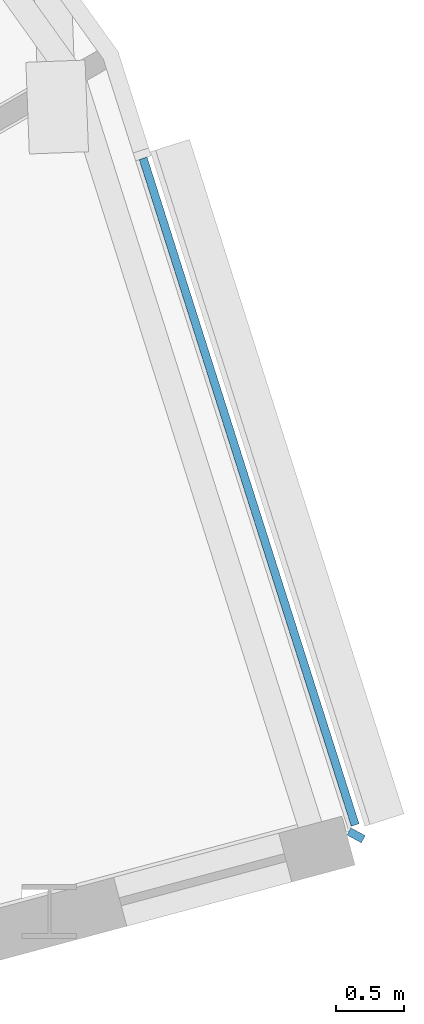
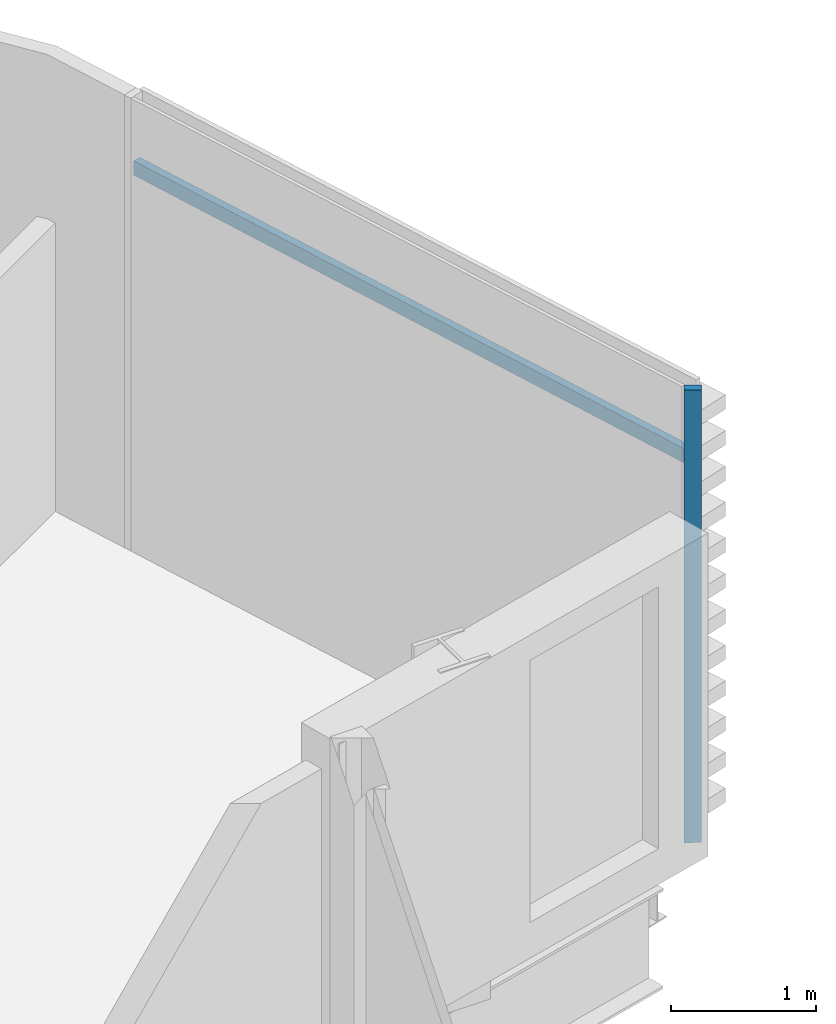
# One storey, part 16 of 37: 2 members, 1 element without a shape of its own.
"""IFC4 building model written with IfcOpenShell, lengths in metres."""

import ifcopenshell
import ifcopenshell.guid

model = None  # the IFC model being written
_history = None  # IfcOwnerHistory: only IFC2X3 demands one
_inside = {}  # id of a spatial element -> (the spatial element, [elements in it])
_under = {}  # id of a project, library or spatial element -> (it, [spatial elements below it])
_declared = {}  # id of a project -> (the project, [libraries it declares])
_typed = {}  # id of a type object -> (the type object, [elements of that type])
_made_of = {}  # id of a material, layer set ... -> (it, [elements and type objects made of it])


def new_model(schema):
    """Start an empty IFC model of exactly this schema.

    Asked for "IFC4X3", IfcOpenShell would pick the latest addendum, in which some entities
    have other attributes; the version numbers below select the first issue.
    IFC2X3 requires an IfcOwnerHistory on every rooted entity: one is made here for all.
    """
    global model, _history
    if schema == "IFC4X3":
        model = ifcopenshell.file(schema_version=(4, 3, 0, 0))
    else:
        model = ifcopenshell.file(schema=schema)
    _inside.clear()
    _under.clear()
    _declared.clear()
    _typed.clear()
    _made_of.clear()
    _history = None
    if model.schema == "IFC2X3":
        org = make("IfcOrganization", Name="unknown")
        user = make(
            "IfcPersonAndOrganization",
            ThePerson=make("IfcPerson", FamilyName="unknown"),
            TheOrganization=org,
        )
        app = make(
            "IfcApplication",
            ApplicationDeveloper=org,
            Version="unknown",
            ApplicationFullName="unknown",
            ApplicationIdentifier="unknown",
        )
        _history = make(
            "IfcOwnerHistory",
            OwningUser=user,
            OwningApplication=app,
            ChangeAction="ADDED",
            CreationDate=0,
        )
    return model


def make(cls, **values):
    """One entity of the class cls with the attributes given. An attribute that is None is left unset."""
    return model.create_entity(
        cls, **{name: value for name, value in values.items() if value is not None}
    )


def rooted(cls, **values):
    """An entity with a GlobalId (a new one), such as an element, a storey or a relation."""
    return make(cls, GlobalId=ifcopenshell.guid.new(), OwnerHistory=_history, **values)


def si_unit(unit_type, name, prefix=None):
    """IfcSIUnit, for example si_unit("LENGTHUNIT", "METRE", prefix="MILLI")."""
    return make("IfcSIUnit", UnitType=unit_type, Prefix=prefix, Name=name)


def assignment(units):
    """IfcUnitAssignment: the units of a project."""
    return None if units is None else make("IfcUnitAssignment", Units=units)


def point(xyz):
    """IfcCartesianPoint."""
    return None if xyz is None else make("IfcCartesianPoint", Coordinates=xyz)


def direction(xyz):
    """IfcDirection."""
    return None if xyz is None else make("IfcDirection", DirectionRatios=xyz)


def frame(location, z_axis=None, x_axis=None):
    """IfcAxis2Placement3D, a coordinate frame: its origin and axes. An axis left out is left unset."""
    return make(
        "IfcAxis2Placement3D",
        Location=point(location),
        Axis=direction(z_axis),
        RefDirection=direction(x_axis),
    )


def frame_2d(location, x_axis=None):
    """IfcAxis2Placement2D, a coordinate frame in the plane: its origin and x axis."""
    return make(
        "IfcAxis2Placement2D", Location=point(location), RefDirection=direction(x_axis)
    )


def origin():
    """The frame at (0, 0, 0) with its axes left unset."""
    return frame((0.0, 0.0, 0.0))


def origin_2d():
    """The frame at (0, 0) in the plane with its x axis left unset."""
    return frame_2d((0.0, 0.0))


def place(relative_to, where):
    """IfcLocalPlacement: puts the frame where relative to a parent placement (None: the world)."""
    return make(
        "IfcLocalPlacement", PlacementRelTo=relative_to, RelativePlacement=where
    )


def context(
    kind, dimensions, precision=None, world=None, true_north=None, identifier=None
):
    """IfcGeometricRepresentationContext, for example the 3D "Model" context."""
    return make(
        "IfcGeometricRepresentationContext",
        ContextIdentifier=identifier,
        ContextType=kind,
        CoordinateSpaceDimension=dimensions,
        Precision=precision,
        WorldCoordinateSystem=world,
        TrueNorth=true_north,
    )


def subcontext(parent, identifier, kind, view, scale=None):
    """IfcGeometricRepresentationSubContext, for example "Body" below "Model"."""
    return make(
        "IfcGeometricRepresentationSubContext",
        ContextIdentifier=identifier,
        ContextType=kind,
        ParentContext=parent,
        TargetScale=scale,
        TargetView=view,
    )


def project(units=None, contexts=None):
    """IfcProject with its units and contexts."""
    return rooted(
        "IfcProject",
        Name="project",
        RepresentationContexts=contexts,
        UnitsInContext=assignment(units),
    )


def spatial(cls, under=None, at=None, **own):
    """A site, building, storey or space (cls), placed at a placement, below another one or the project."""
    s = rooted(cls, ObjectPlacement=at, **own)
    if under is not None:
        _under.setdefault(under.id(), (under, []))[1].append(s)
    return s


def profile(cls, at=None, kind="AREA", **sizes):
    """A parametric profile (cls). Its sizes go by their IFC names, for example OverallWidth=200.0."""
    return make(cls, ProfileType=kind, Position=at, **sizes)


def rectangle(**sizes):
    """IfcRectangleProfileDef."""
    return profile("IfcRectangleProfileDef", **sizes)


def extrude(swept, where, along, depth):
    """IfcExtrudedAreaSolid: the profile swept, set in the frame where, extruded along a direction by depth."""
    return make(
        "IfcExtrudedAreaSolid",
        SweptArea=swept,
        Position=where,
        ExtrudedDirection=direction(along),
        Depth=depth,
    )


def shape(context_of_items, identifier, shape_type, items):
    """IfcShapeRepresentation: the items that make up one representation, for example the "Body"."""
    return make(
        "IfcShapeRepresentation",
        ContextOfItems=context_of_items,
        RepresentationIdentifier=identifier,
        RepresentationType=shape_type,
        Items=items,
    )


def material(Name=None, Category=None):
    """IfcMaterial."""
    return make("IfcMaterial", Name=Name, Category=Category)


def material_profile(
    of_material, cross_section, Name=None, Category=None, Priority=None
):
    """IfcMaterialProfile: a cross section and its material."""
    return make(
        "IfcMaterialProfile",
        Name=Name,
        Material=of_material,
        Profile=cross_section,
        Priority=Priority,
        Category=Category,
    )


def profile_set(profiles, Name=None, composite=None):
    """IfcMaterialProfileSet."""
    return make(
        "IfcMaterialProfileSet",
        Name=Name,
        MaterialProfiles=profiles,
        CompositeProfile=composite,
    )


def made_of(thing, what):
    """Note that an element or type object is made of a material, layer set ...; save() writes the relation."""
    if what is not None:
        _made_of.setdefault(what.id(), (what, []))[1].append(thing)
    return thing


def type_object(cls, material=None, **own):
    """A type object (cls), such as IfcWallType, which elements share."""
    return made_of(rooted(cls, **own), material)


def element(
    cls,
    number,
    at=None,
    inside=None,
    cuts=None,
    type_object=None,
    material=None,
    context=None,
    identifier="Body",
    shape_type=None,
    held_by="IfcProductDefinitionShape",
    body=None,
    shapes=None,
    **own,
):
    """One element of the class cls, such as IfcWall. Its Tag is "e" and its number.

    at: its placement. inside: the storey or other place that contains it. cuts: it is an
    opening in that element (IfcRelVoidsElement). A single representation is given by context,
    identifier, shape_type and body (its items); several are given by shapes. held_by: the class
    of the entity that holds the representations. save() writes the other relations.
    """
    e = rooted(cls, Tag="e%d" % number, ObjectPlacement=at, **own)
    if body is not None:
        shapes = [shape(context, identifier, shape_type, body)]
    if shapes is not None:
        e.Representation = make(held_by, Representations=shapes)
    if inside is not None:
        _inside.setdefault(inside.id(), (inside, []))[1].append(e)
    if cuts is not None:
        rooted(
            "IfcRelVoidsElement", RelatingBuildingElement=cuts, RelatedOpeningElement=e
        )
    if type_object is not None:
        _typed.setdefault(type_object.id(), (type_object, []))[1].append(e)
    return made_of(e, material)


def aggregate(whole, parts):
    """IfcRelAggregates: a whole, such as a stair, and the parts it consists of."""
    return rooted("IfcRelAggregates", RelatingObject=whole, RelatedObjects=parts)


def save(model, path):
    """Write the relations noted so far, then the file.

    IfcRelAggregates (storeys below a building ...), IfcRelContainedInSpatialStructure (elements
    in a storey), IfcRelDefinesByType, IfcRelAssociatesMaterial and IfcRelDeclares: one each for
    every whole, place, type object, material and project.
    """
    for whole, parts in _under.values():
        aggregate(whole, parts)
    for where, things in _inside.values():
        rooted(
            "IfcRelContainedInSpatialStructure",
            RelatedElements=things,
            RelatingStructure=where,
        )
    for kind, things in _typed.values():
        rooted("IfcRelDefinesByType", RelatedObjects=things, RelatingType=kind)
    for what, things in _made_of.values():
        rooted("IfcRelAssociatesMaterial", RelatedObjects=things, RelatingMaterial=what)
    for by, libraries in _declared.values():
        rooted("IfcRelDeclares", RelatingContext=by, RelatedDefinitions=libraries)
    model.write(path)


model = new_model("IFC4")

# Units and contexts
model_context = context("Model", 3, precision=1e-05, world=origin(), true_north=direction((0.0, 1.0)))
body_context = subcontext(model_context, "Body", "Model", "MODEL_VIEW")
ifc_project = project(units=[si_unit("LENGTHUNIT", "METRE"), si_unit("AREAUNIT", "SQUARE_METRE"), si_unit("VOLUMEUNIT", "CUBIC_METRE"), si_unit("PLANEANGLEUNIT", "RADIAN"), si_unit("MASSUNIT", "GRAM", prefix="KILO")], contexts=[model_context])

# Site, building, storey
site_placement = place(None, origin())
site = spatial("IfcSite", under=ifc_project, at=site_placement, CompositionType="ELEMENT")
building_placement = place(site_placement, origin())
building = spatial("IfcBuilding", under=site, at=building_placement, Name="Rimbun Link Towers", CompositionType="ELEMENT")
storey_placement = place(building_placement, frame((0.0, 0.0, 60.39990234375)))
storey = spatial("IfcBuildingStorey", under=building, at=storey_placement, Name="L14", CompositionType="ELEMENT", Elevation=60.39990234375)

# Curtain wall, members
ifc_material_1 = material(Name="Aluminium 6063-T6 and low-iron glass", Category="aluminium")
curtain_wall_type = type_object("IfcCurtainWallType", Name="CW1 unitised vision wall", PredefinedType="NOTDEFINED", material=ifc_material_1)
curtain_wall_placement = place(storey_placement, origin())
curtain_wall = element("IfcCurtainWall", 1, at=curtain_wall_placement, inside=storey, type_object=curtain_wall_type, Name="CW1 L14 T2", PredefinedType="NOTDEFINED")
ifc_material_2 = material(Name="Aluminium 6063-T6", Category="aluminium")
ifc_material_profile_1 = material_profile(ifc_material_2, rectangle(XDim=0.1201171875, YDim=0.06005859375, at=origin_2d()), Name="MULLION 60X120")
ifc_profile_set_1 = profile_set([ifc_material_profile_1], Name="Aluminium 6063-T6")
member_type_1 = type_object("IfcMemberType", Name="CW1 mullion 60X120", PredefinedType="MULLION", material=ifc_profile_set_1)
member_1_placement = place(storey_placement, frame((53.410888671875, 5.760986328125, 0.0), z_axis=(0.0, 0.0, 1.0), x_axis=(0.877319066545, -0.479907548885, 0.0)))
member_1 = element("IfcMember", 2, at=member_1_placement, type_object=member_type_1, Name="CW1 mullion", PredefinedType="MULLION", context=body_context, shape_type="SweptSolid", body=[
    extrude(rectangle(XDim=0.1201171875, YDim=0.06005859375, at=origin_2d()), origin(), (0.0, 0.0, 1.0), 3.800048828125),
])
ifc_material_3 = material(Name="Aluminium 6063-T6", Category="aluminium")
ifc_material_profile_2 = material_profile(ifc_material_3, rectangle(XDim=0.06005859375, YDim=0.1201171875, at=origin_2d()), Name="TRANSOM 60X120")
ifc_profile_set_2 = profile_set([ifc_material_profile_2], Name="Aluminium 6063-T6")
member_type_2 = type_object("IfcMemberType", Name="CW1 transom 60X120", PredefinedType="USERDEFINED", material=ifc_profile_set_2)
member_2_placement = place(storey_placement, frame((51.853515625, 10.712646484375, 3.2001953125), z_axis=(0.303101253702, -0.95295835691, 0.0), x_axis=(0.95295835691, 0.303101253702, 0.0)))
member_2 = element("IfcMember", 3, at=member_2_placement, type_object=member_type_2, Name="CW1 transom", ObjectType="TRANSOM", PredefinedType="USERDEFINED", context=body_context, shape_type="SweptSolid", body=[
    extrude(rectangle(XDim=0.06005859375, YDim=0.1201171875, at=origin_2d()), origin(), (0.0, 0.0, 1.0), 5.1171875),
])
aggregate(curtain_wall, [member_1, member_2])

save(model, "model.ifc")
